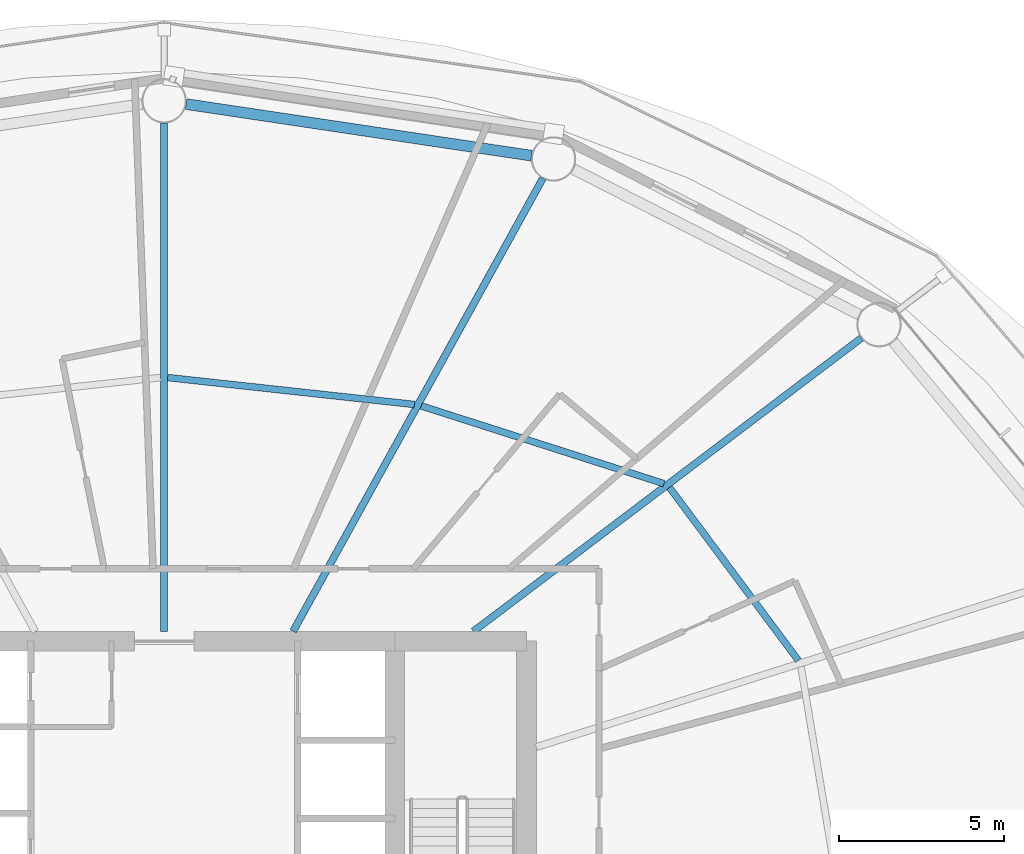
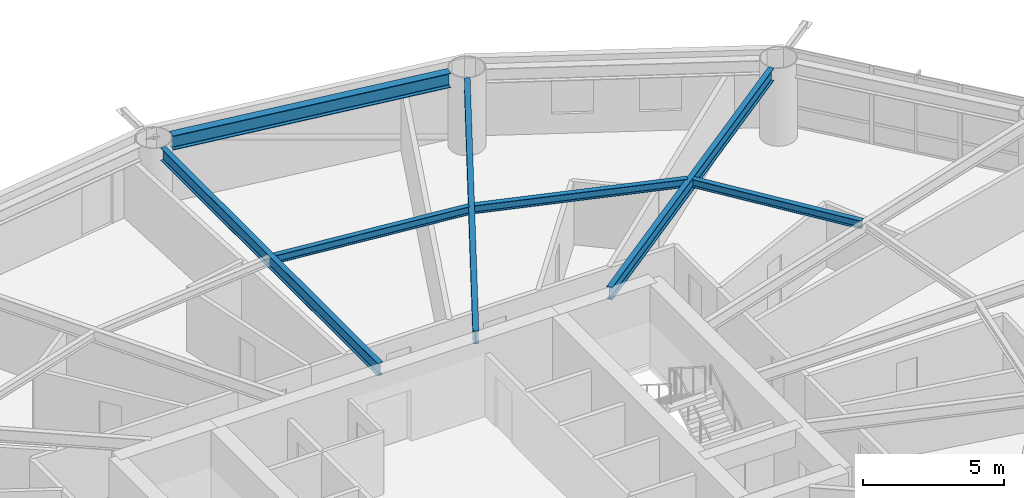
# One storey, part 13 of 26: 7 beams.
"""IFC4 building model written with IfcOpenShell, lengths in metres."""

from ifc_helpers import new_model, si_unit, direction, frame, origin, origin_2d, place, context, subcontext, project, spatial, i_section, extrude, material, material_profile, profile_set, type_object, element, save


model = new_model("IFC4")

# Units and contexts
model_context = context("Model", 3, precision=1e-05, world=origin(), true_north=direction((0.0, 1.0)))
body_context = subcontext(model_context, "Body", "Model", "MODEL_VIEW")
ifc_project = project(units=[si_unit("LENGTHUNIT", "METRE"), si_unit("AREAUNIT", "SQUARE_METRE"), si_unit("VOLUMEUNIT", "CUBIC_METRE"), si_unit("PLANEANGLEUNIT", "RADIAN"), si_unit("MASSUNIT", "GRAM", prefix="KILO")], contexts=[model_context])

# Site, building, storey
site_placement = place(None, origin())
site = spatial("IfcSite", under=ifc_project, at=site_placement, CompositionType="ELEMENT")
building_placement = place(site_placement, origin())
building = spatial("IfcBuilding", under=site, at=building_placement, Name="Sarneth Arch Tower", CompositionType="ELEMENT")
storey_placement = place(building_placement, frame((0.0, 0.0, 39.0)))
storey = spatial("IfcBuildingStorey", under=building, at=storey_placement, Name="L08", CompositionType="ELEMENT", Elevation=39.0)

# Beams
ifc_material_1 = material(Name="Steel S355", Category="steel")
ifc_material_profile_1 = material_profile(ifc_material_1, i_section(OverallWidth=0.2041015625, OverallDepth=0.35009765625, WebThickness=0.008544921875, FlangeThickness=0.01513671875, FilletRadius=0.014892578125, at=origin_2d()), Name="W360x72")
ifc_profile_set_1 = profile_set([ifc_material_profile_1], Name="Steel S355")
beam_type_1 = type_object("IfcBeamType", Name="BM-JOIST-360D", PredefinedType="JOIST", material=ifc_profile_set_1)
beam_1_placement = place(storey_placement, frame((67.2470703125, 48.216552734375, 3.205078125), z_axis=(-0.597453564101, 0.801903509621, 0.0), x_axis=(-0.801903509621, -0.597453564101, 0.0)))
element("IfcBeam", 1, at=beam_1_placement, inside=storey, type_object=beam_type_1, Name="L08 Secondary floor joist 02", PredefinedType="JOIST", context=body_context, shape_type="SweptSolid", body=[
    extrude(i_section(OverallWidth=0.2041015625, OverallDepth=0.35009765625, WebThickness=0.008544921875, FlangeThickness=0.01513671875, FilletRadius=0.014892578125, at=origin_2d()), origin(), (0.0, 0.0, 1.0), 6.542724609375),
])
beam_2_placement = place(storey_placement, frame((63.17236328125, 53.58154296875, 3.205078125), z_axis=(-0.952436240143, 0.304737934073, 0.0), x_axis=(-0.304737934073, -0.952436240143, 0.0)))
element("IfcBeam", 2, at=beam_2_placement, inside=storey, type_object=beam_type_1, Name="L08 Secondary floor joist 03", PredefinedType="JOIST", context=body_context, shape_type="SweptSolid", body=[
    extrude(i_section(OverallWidth=0.2041015625, OverallDepth=0.35009765625, WebThickness=0.008544921875, FlangeThickness=0.01513671875, FilletRadius=0.014892578125, at=origin_2d()), origin(), (0.0, 0.0, 1.0), 7.735107421875),
])
beam_3_placement = place(storey_placement, frame((55.596923828125, 55.983154296875, 3.205078125), z_axis=(-0.994095251924, 0.108510967657, 0.0), x_axis=(-0.108510967657, -0.994095251924, 0.0)))
element("IfcBeam", 3, at=beam_3_placement, inside=storey, type_object=beam_type_1, Name="L08 Secondary floor joist 04", PredefinedType="JOIST", context=body_context, shape_type="SweptSolid", body=[
    extrude(i_section(OverallWidth=0.2041015625, OverallDepth=0.35009765625, WebThickness=0.008544921875, FlangeThickness=0.01513671875, FilletRadius=0.014892578125, at=origin_2d()), origin(), (0.0, 0.0, 1.0), 7.534912109375),
])
ifc_material_2 = material(Name="Steel S355", Category="steel")
ifc_material_profile_2 = material_profile(ifc_material_2, i_section(OverallWidth=0.214111328125, OverallDepth=0.549072265625, WebThickness=0.0146484375, FlangeThickness=0.023681640625, FilletRadius=0.01806640625, at=origin_2d()), Name="W530x138")
ifc_profile_set_2 = profile_set([ifc_material_profile_2], Name="Steel S355")
beam_type_2 = type_object("IfcBeamType", Name="BM-RAD-530A", PredefinedType="BEAM", material=ifc_profile_set_2)
beam_4_placement = place(storey_placement, frame((57.390380859375, 49.10009765625, 3.10546875), z_axis=(0.797656612852, 0.603111870198, 0.0), x_axis=(-0.603111870198, 0.797656612852, 0.0)))
element("IfcBeam", 4, at=beam_4_placement, inside=storey, type_object=beam_type_2, Name="L08 Radial floor girder 03", PredefinedType="BEAM", context=body_context, shape_type="SweptSolid", body=[
    extrude(i_section(OverallWidth=0.214111328125, OverallDepth=0.549072265625, WebThickness=0.0146484375, FlangeThickness=0.023681640625, FilletRadius=0.01806640625, at=origin_2d()), origin(), (0.0, 0.0, 1.0), 14.7529296875),
])
beam_5_placement = place(storey_placement, frame((51.91455078125, 49.10009765625, 3.10546875), z_axis=(0.482837562311, 0.875709933952, 0.0), x_axis=(-0.875709933952, 0.482837562311, 0.0)))
element("IfcBeam", 5, at=beam_5_placement, inside=storey, type_object=beam_type_2, Name="L08 Radial floor girder 04", PredefinedType="BEAM", context=body_context, shape_type="SweptSolid", body=[
    extrude(i_section(OverallWidth=0.214111328125, OverallDepth=0.549072265625, WebThickness=0.0146484375, FlangeThickness=0.023681640625, FilletRadius=0.01806640625, at=origin_2d()), origin(), (0.0, 0.0, 1.0), 15.693359375),
])
beam_6_placement = place(storey_placement, frame((48.0, 49.10009765625, 3.10546875), z_axis=(0.0, 1.0, 0.0), x_axis=(-1.0, 0.0, 0.0)))
element("IfcBeam", 6, at=beam_6_placement, inside=storey, type_object=beam_type_2, Name="L08 Radial floor girder 05", PredefinedType="BEAM", context=body_context, shape_type="SweptSolid", body=[
    extrude(i_section(OverallWidth=0.214111328125, OverallDepth=0.549072265625, WebThickness=0.0146484375, FlangeThickness=0.023681640625, FilletRadius=0.01806640625, at=origin_2d()), origin(), (0.0, 0.0, 1.0), 15.4248046875),
])
ifc_material_3 = material(Name="Steel S355", Category="steel")
ifc_material_profile_3 = material_profile(ifc_material_3, i_section(OverallWidth=0.326904296875, OverallDepth=0.6220703125, WebThickness=0.015380859375, FlangeThickness=0.0244140625, FilletRadius=0.01904296875, at=origin_2d()), Name="W610x195")
ifc_profile_set_3 = profile_set([ifc_material_profile_3], Name="Steel S355")
beam_type_3 = type_object("IfcBeamType", Name="BM-SPAN-610A", PredefinedType="SPANDREL", material=ifc_profile_set_3)
beam_7_placement = place(storey_placement, frame((59.150146484375, 63.53369140625, 3.069091796875), z_axis=(-0.989015788086, 0.147809914809, 0.0), x_axis=(-0.147809914809, -0.989015788086, 0.0)))
element("IfcBeam", 7, at=beam_7_placement, inside=storey, type_object=beam_type_3, Name="L08 Perimeter spandrel beam 04", PredefinedType="SPANDREL", context=body_context, shape_type="SweptSolid", body=[
    extrude(i_section(OverallWidth=0.326904296875, OverallDepth=0.6220703125, WebThickness=0.015380859375, FlangeThickness=0.0244140625, FilletRadius=0.01904296875, at=origin_2d()), origin(), (0.0, 0.0, 1.0), 10.59912109375),
])

save(model, "model.ifc")
